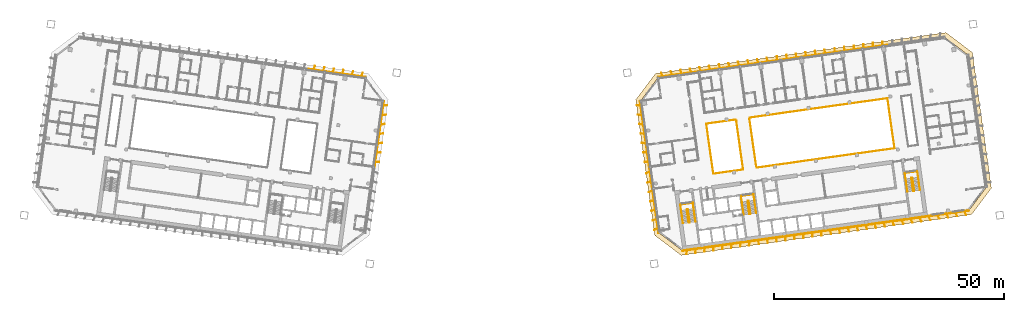
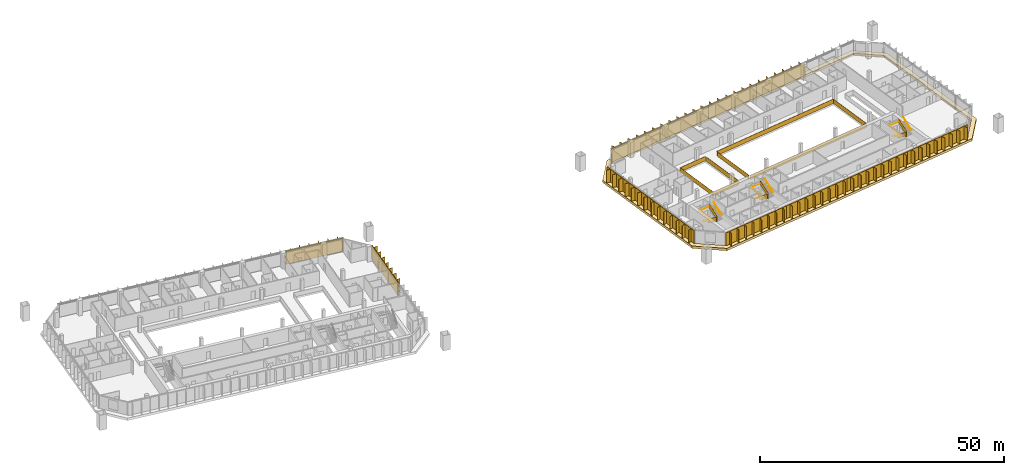
# One storey, part 24 of 25: 12 shading devices, 10 railings, 1 covering.
"""IFC4 building model written with IfcOpenShell, lengths in metres."""

from ifc_helpers import new_model, si_unit, direction, frame, origin, origin_2d, place, context, subcontext, project, spatial, polyline, rectangle, outline, extrude, material, layer, layer_set, type_object, element, save


model = new_model("IFC4")

# Units and contexts
model_context = context("Model", 3, precision=1e-05, world=origin(), true_north=direction((0.0, 1.0)))
body_context = subcontext(model_context, "Body", "Model", "MODEL_VIEW")
ifc_project = project(units=[si_unit("LENGTHUNIT", "METRE"), si_unit("AREAUNIT", "SQUARE_METRE"), si_unit("VOLUMEUNIT", "CUBIC_METRE"), si_unit("PLANEANGLEUNIT", "RADIAN"), si_unit("MASSUNIT", "GRAM", prefix="KILO")], contexts=[model_context])

# Site, building, storey
site_placement = place(None, origin())
site = spatial("IfcSite", under=ifc_project, at=site_placement, CompositionType="ELEMENT")
building_placement = place(site_placement, origin())
building = spatial("IfcBuilding", under=site, at=building_placement, Name="Mirante Cascada Hotel Towers", CompositionType="ELEMENT")
storey_placement = place(building_placement, frame((0.0, 0.0, 102.5)))
storey = spatial("IfcBuildingStorey", under=building, at=storey_placement, Name="L22", CompositionType="ELEMENT", Elevation=102.5)

# Railings
ifc_material_1 = material(Name="Toughened glass with stainless steel handrail", Category="steel")
railing_type_1 = type_object("IfcRailingType", Name="Atrium guard 1100 glass balustrade", PredefinedType="GUARDRAIL", material=ifc_material_1)
railing_1_placement = place(storey_placement, frame((48.76, 8.3112, 0.0)))
element("IfcRailing", 1, at=railing_1_placement, inside=storey, type_object=railing_type_1, Name="GUARD 2-L22-1", PredefinedType="GUARDRAIL", context=body_context, shape_type="SweptSolid", body=[
    extrude(rectangle(XDim=0.048, YDim=0.048, at=origin_2d()), frame((0.0, 0.0, 1.076), z_axis=(-0.9902694, -0.1391638, 0.0), x_axis=(0.1391638, -0.9902694, 0.0)), (0.0, 0.0, 1.0), 6.5125),
    extrude(rectangle(XDim=0.02, YDim=1.052, at=origin_2d()), frame((0.0, 0.0, 0.526), z_axis=(-0.9902694, -0.1391638, 0.0), x_axis=(0.1391638, -0.9902694, 0.0)), (0.0, 0.0, 1.0), 6.5125),
    extrude(rectangle(XDim=0.048, YDim=0.048, at=origin_2d()), frame((-6.4491, -0.9063, 1.076), z_axis=(0.1391721, -0.9902682, 0.0), x_axis=(0.9902682, 0.1391721, 0.0)), (0.0, 0.0, 1.0), 11.0001),
    extrude(rectangle(XDim=0.02, YDim=1.052, at=origin_2d()), frame((-6.4491, -0.9063, 0.526), z_axis=(0.1391721, -0.9902682, 0.0), x_axis=(0.9902682, 0.1391721, 0.0)), (0.0, 0.0, 1.0), 11.0001),
    extrude(rectangle(XDim=0.048, YDim=0.048, at=origin_2d()), frame((-4.9182, -11.7993, 1.076), z_axis=(0.9902673, 0.1391788, 0.0), x_axis=(-0.1391788, 0.9902673, 0.0)), (0.0, 0.0, 1.0), 6.5125),
    extrude(rectangle(XDim=0.02, YDim=1.052, at=origin_2d()), frame((-4.9182, -11.7993, 0.526), z_axis=(0.9902673, 0.1391788, 0.0), x_axis=(-0.1391788, 0.9902673, 0.0)), (0.0, 0.0, 1.0), 6.5125),
])
railing_2_placement = place(storey_placement, frame((53.2617, -2.1642, 0.0)))
element("IfcRailing", 2, at=railing_2_placement, inside=storey, type_object=railing_type_1, Name="GUARD 2-L22-2", PredefinedType="GUARDRAIL", context=body_context, shape_type="SweptSolid", body=[
    extrude(rectangle(XDim=0.048, YDim=0.048, at=origin_2d()), frame((0.0, 0.0, 1.076), z_axis=(0.9902682, 0.1391722, 0.0), x_axis=(-0.1391722, 0.9902682, 0.0)), (0.0, 0.0, 1.0), 30.325),
    extrude(rectangle(XDim=0.02, YDim=1.052, at=origin_2d()), frame((0.0, 0.0, 0.526), z_axis=(0.9902682, 0.1391722, 0.0), x_axis=(-0.1391722, 0.9902682, 0.0)), (0.0, 0.0, 1.0), 30.325),
    extrude(rectangle(XDim=0.048, YDim=0.048, at=origin_2d()), frame((30.0299, 4.2204, 1.076), z_axis=(-0.1391721, 0.9902682, 0.0), x_axis=(-0.9902682, -0.1391721, 0.0)), (0.0, 0.0, 1.0), 11.0001),
    extrude(rectangle(XDim=0.02, YDim=1.052, at=origin_2d()), frame((30.0299, 4.2204, 0.526), z_axis=(-0.1391721, 0.9902682, 0.0), x_axis=(-0.9902682, -0.1391721, 0.0)), (0.0, 0.0, 1.0), 11.0001),
    extrude(rectangle(XDim=0.048, YDim=0.048, at=origin_2d()), frame((28.499, 15.1134, 1.076), z_axis=(-0.9902682, -0.1391722, 0.0), x_axis=(0.1391722, -0.9902682, 0.0)), (0.0, 0.0, 1.0), 30.325),
    extrude(rectangle(XDim=0.02, YDim=1.052, at=origin_2d()), frame((28.499, 15.1134, 0.526), z_axis=(-0.9902682, -0.1391722, 0.0), x_axis=(0.1391722, -0.9902682, 0.0)), (0.0, 0.0, 1.0), 30.325),
])
railing_3_placement = place(storey_placement, frame((50.2983, -2.2822, 0.0)))
element("IfcRailing", 3, at=railing_3_placement, inside=storey, type_object=railing_type_1, Name="GUARD 2-L22-4", PredefinedType="GUARDRAIL", context=body_context, shape_type="SweptSolid", body=[
    extrude(rectangle(XDim=0.048, YDim=0.048, at=origin_2d()), frame((0.0, 0.0, 1.076), z_axis=(-0.1391708, 0.9902684, 0.0), x_axis=(-0.9902684, -0.1391708, 0.0)), (0.0, 0.0, 1.0), 10.4088),
    extrude(rectangle(XDim=0.02, YDim=1.052, at=origin_2d()), frame((0.0, 0.0, 0.526), z_axis=(-0.1391708, 0.9902684, 0.0), x_axis=(-0.9902684, -0.1391708, 0.0)), (0.0, 0.0, 1.0), 10.4088),
])
railing_4_placement = place(storey_placement, frame((51.7234, 8.4292, 0.0)))
element("IfcRailing", 4, at=railing_4_placement, inside=storey, type_object=railing_type_1, Name="GUARD 2-L22-5", PredefinedType="GUARDRAIL", context=body_context, shape_type="SweptSolid", body=[
    extrude(rectangle(XDim=0.048, YDim=0.048, at=origin_2d()), frame((0.0, 0.0, 1.076), z_axis=(0.1391721, -0.9902682, 0.0), x_axis=(0.9902682, 0.1391721, 0.0)), (0.0, 0.0, 1.0), 10.4087),
    extrude(rectangle(XDim=0.02, YDim=1.052, at=origin_2d()), frame((0.0, 0.0, 0.526), z_axis=(0.1391721, -0.9902682, 0.0), x_axis=(0.9902682, 0.1391721, 0.0)), (0.0, 0.0, 1.0), 10.4087),
])

# Covering
ifc_material_2 = material(Name="Precast concrete C40/50 white", Category="concrete")
ifc_layer = layer(ifc_material_2, 0.6)
ifc_layer_set = layer_set([ifc_layer], Name="Precast concrete SUNSHADE band 1000x600")
covering_type = type_object("IfcCoveringType", Name="Precast concrete SUNSHADE band 1000x600", PredefinedType="CLADDING", material=ifc_layer_set)
covering_placement = place(storey_placement, frame((0.0, 0.0, -0.45)))
element("IfcCovering", 5, at=covering_placement, inside=storey, type_object=covering_type, Name="Precast concrete SUNSHADE band T2 L22", PredefinedType="CLADDING", context=body_context, shape_type="SweptSolid", body=[
    extrude(outline(polyline([(26.9341, 12.6299), (31.2626, 18.374), (94.4698, 27.2572), (100.2139, 22.9287), (104.3652, -6.6094), (100.0367, -12.3535), (36.8295, -21.2367), (31.0854, -16.9082), (26.9341, 12.6299)]), holes=[polyline([(103.3173, -6.3384), (99.2813, 22.3794), (94.1988, 26.2093), (31.8119, 17.4414), (27.982, 12.3589), (32.018, -16.3589), (37.1005, -20.1888), (99.4874, -11.4209), (103.3173, -6.3384)])]), origin(), (0.0, 0.0, 1.0), 0.6),
])

# Railings
ifc_material_3 = material(Name="Painted steel", Category="steel")
railing_type_2 = type_object("IfcRailingType", Name="Stair guard 1100 steel balustrade", PredefinedType="GUARDRAIL", material=ifc_material_3)
railing_5_placement = place(storey_placement, frame((38.2663, -11.2395, 0.0)))
element("IfcRailing", 6, at=railing_5_placement, inside=storey, type_object=railing_type_2, Name="L22 ST2-A stair guard 1", PredefinedType="GUARDRAIL", context=body_context, shape_type="SweptSolid", body=[
    extrude(rectangle(XDim=0.048, YDim=0.048, at=origin_2d()), frame((0.0, 0.0, 1.076), z_axis=(-0.9903326, -0.1387133, 0.0), x_axis=(0.1387133, -0.9903326, 0.0)), (0.0, 0.0, 1.0), 0.1499),
    extrude(rectangle(XDim=0.02, YDim=1.052, at=origin_2d()), frame((0.0, 0.0, 0.526), z_axis=(-0.9903326, -0.1387133, 0.0), x_axis=(0.1387133, -0.9903326, 0.0)), (0.0, 0.0, 1.0), 0.1499),
    extrude(rectangle(XDim=0.048, YDim=0.048, at=origin_2d()), frame((-0.1485, -0.0208, 1.076), z_axis=(-0.6020331, -0.7984711, 0.0), x_axis=(0.7984711, -0.6020331, 0.0)), (0.0, 0.9253398, 0.3791387), 0.1866),
    extrude(rectangle(XDim=0.02, YDim=1.052, at=origin_2d()), frame((-0.1485, -0.0208, 0.526), z_axis=(-0.6020331, -0.7984711, 0.0), x_axis=(0.7984711, -0.6020331, 0.0)), (0.0, 0.9253398, 0.3791387), 0.1866),
    extrude(rectangle(XDim=0.048, YDim=0.048, at=origin_2d()), frame((-0.1911, -0.0773, 1.2487), z_axis=(0.139176, -0.9902677, 0.0), x_axis=(0.9902677, 0.139176, 0.0)), (0.0, 0.5250212, 0.8510891), 3.29),
    extrude(rectangle(XDim=0.02, YDim=1.052, at=origin_2d()), frame((-0.1911, -0.0773, 0.6987), z_axis=(0.139176, -0.9902677, 0.0), x_axis=(0.9902677, 0.139176, 0.0)), (0.0, 0.5250212, 0.8510891), 3.29),
    extrude(rectangle(XDim=0.048, YDim=0.048, at=origin_2d()), frame((0.1986, -2.8501, 2.976), z_axis=(0.9944948, -0.1047858, 0.0), x_axis=(0.1047858, 0.9944948, 0.0)), (0.0, 0.0, 1.0), 0.2061),
    extrude(rectangle(XDim=0.02, YDim=1.052, at=origin_2d()), frame((0.1986, -2.8501, 2.426), z_axis=(0.9944948, -0.1047858, 0.0), x_axis=(0.1047858, 0.9944948, 0.0)), (0.0, 0.0, 1.0), 0.2061),
    extrude(rectangle(XDim=0.048, YDim=0.048, at=origin_2d()), frame((0.4036, -2.8717, 2.976), z_axis=(-0.9902408, -0.1393672, 0.0), x_axis=(0.1393672, -0.9902408, 0.0)), (0.0, 0.0, 1.0), 0.15),
    extrude(rectangle(XDim=0.02, YDim=1.052, at=origin_2d()), frame((0.4036, -2.8717, 2.426), z_axis=(-0.9902408, -0.1393672, 0.0), x_axis=(0.1393672, -0.9902408, 0.0)), (0.0, 0.0, 1.0), 0.15),
    extrude(rectangle(XDim=0.048, YDim=0.048, at=origin_2d()), frame((0.2551, -2.8926, 2.976), z_axis=(0.9270311, 0.3749843, 0.0), x_axis=(-0.3749843, 0.9270311, 0.0)), (0.0, 0.6421903, 0.7665452), 0.2689),
    extrude(rectangle(XDim=0.02, YDim=1.052, at=origin_2d()), frame((0.2551, -2.8926, 2.426), z_axis=(0.9270311, 0.3749843, 0.0), x_axis=(-0.3749843, 0.9270311, 0.0)), (0.0, 0.6421903, 0.7665452), 0.2689),
    extrude(rectangle(XDim=0.048, YDim=0.048, at=origin_2d()), frame((0.4462, -2.8153, 3.1487), z_axis=(-0.139176, 0.9902677, 0.0), x_axis=(-0.9902677, -0.139176, 0.0)), (0.0, 0.5250212, 0.8510891), 3.29),
    extrude(rectangle(XDim=0.02, YDim=1.052, at=origin_2d()), frame((0.4462, -2.8153, 2.5987), z_axis=(-0.139176, 0.9902677, 0.0), x_axis=(-0.9902677, -0.139176, 0.0)), (0.0, 0.5250212, 0.8510891), 3.29),
])
railing_6_placement = place(storey_placement, frame((51.4864, -9.3815, 0.0)))
element("IfcRailing", 7, at=railing_6_placement, inside=storey, type_object=railing_type_2, Name="L22 ST2-B stair guard 1", PredefinedType="GUARDRAIL", context=body_context, shape_type="SweptSolid", body=[
    extrude(rectangle(XDim=0.048, YDim=0.048, at=origin_2d()), frame((0.0, 0.0, 1.076), z_axis=(-0.9902408, -0.1393672, 0.0), x_axis=(0.1393672, -0.9902408, 0.0)), (0.0, 0.0, 1.0), 0.15),
    extrude(rectangle(XDim=0.02, YDim=1.052, at=origin_2d()), frame((0.0, 0.0, 0.526), z_axis=(-0.9902408, -0.1393672, 0.0), x_axis=(0.1393672, -0.9902408, 0.0)), (0.0, 0.0, 1.0), 0.15),
    extrude(rectangle(XDim=0.048, YDim=0.048, at=origin_2d()), frame((-0.1485, -0.0209, 1.076), z_axis=(-0.6020331, -0.7984711, 0.0), x_axis=(0.7984711, -0.6020331, 0.0)), (0.0, 0.9253398, 0.3791387), 0.1866),
    extrude(rectangle(XDim=0.02, YDim=1.052, at=origin_2d()), frame((-0.1485, -0.0209, 0.526), z_axis=(-0.6020331, -0.7984711, 0.0), x_axis=(0.7984711, -0.6020331, 0.0)), (0.0, 0.9253398, 0.3791387), 0.1866),
    extrude(rectangle(XDim=0.048, YDim=0.048, at=origin_2d()), frame((-0.1911, -0.0774, 1.2487), z_axis=(0.139181, -0.990267, 0.0), x_axis=(0.990267, 0.139181, 0.0)), (0.0, 0.5250347, 0.8510808), 3.2899),
    extrude(rectangle(XDim=0.02, YDim=1.052, at=origin_2d()), frame((-0.1911, -0.0774, 0.6987), z_axis=(0.139181, -0.990267, 0.0), x_axis=(0.990267, 0.139181, 0.0)), (0.0, 0.5250347, 0.8510808), 3.2899),
    extrude(rectangle(XDim=0.048, YDim=0.048, at=origin_2d()), frame((0.1986, -2.8501, 2.976), z_axis=(0.9944441, -0.1052656, 0.0), x_axis=(0.1052656, 0.9944441, 0.0)), (0.0, 0.0, 1.0), 0.2061),
    extrude(rectangle(XDim=0.02, YDim=1.052, at=origin_2d()), frame((0.1986, -2.8501, 2.426), z_axis=(0.9944441, -0.1052656, 0.0), x_axis=(0.1052656, 0.9944441, 0.0)), (0.0, 0.0, 1.0), 0.2061),
    extrude(rectangle(XDim=0.048, YDim=0.048, at=origin_2d()), frame((0.4036, -2.8718, 2.976), z_axis=(-0.9902408, -0.1393672, 0.0), x_axis=(0.1393672, -0.9902408, 0.0)), (0.0, 0.0, 1.0), 0.15),
    extrude(rectangle(XDim=0.02, YDim=1.052, at=origin_2d()), frame((0.4036, -2.8718, 2.426), z_axis=(-0.9902408, -0.1393672, 0.0), x_axis=(0.1393672, -0.9902408, 0.0)), (0.0, 0.0, 1.0), 0.15),
    extrude(rectangle(XDim=0.048, YDim=0.048, at=origin_2d()), frame((0.2551, -2.8927, 2.976), z_axis=(0.9268624, 0.3754011, 0.0), x_axis=(-0.3754011, 0.9268624, 0.0)), (0.0, 0.6421217, 0.7666028), 0.269),
    extrude(rectangle(XDim=0.02, YDim=1.052, at=origin_2d()), frame((0.2551, -2.8927, 2.426), z_axis=(0.9268624, 0.3754011, 0.0), x_axis=(-0.3754011, 0.9268624, 0.0)), (0.0, 0.6421217, 0.7666028), 0.269),
    extrude(rectangle(XDim=0.048, YDim=0.048, at=origin_2d()), frame((0.4462, -2.8153, 3.1487), z_axis=(-0.139181, 0.990267, 0.0), x_axis=(-0.990267, -0.139181, 0.0)), (0.0, 0.5250347, 0.8510808), 3.2899),
    extrude(rectangle(XDim=0.02, YDim=1.052, at=origin_2d()), frame((0.4462, -2.8153, 2.5987), z_axis=(-0.139181, 0.990267, 0.0), x_axis=(-0.990267, -0.139181, 0.0)), (0.0, 0.5250347, 0.8510808), 3.2899),
])
railing_7_placement = place(storey_placement, frame((87.1361, -4.3713, 0.0)))
element("IfcRailing", 8, at=railing_7_placement, inside=storey, type_object=railing_type_2, Name="L22 ST2-C stair guard 1", PredefinedType="GUARDRAIL", context=body_context, shape_type="SweptSolid", body=[
    extrude(rectangle(XDim=0.048, YDim=0.048, at=origin_2d()), frame((0.0, 0.0, 1.076), z_axis=(-0.9902537, -0.1392753, 0.0), x_axis=(0.1392753, -0.9902537, 0.0)), (0.0, 0.0, 1.0), 0.1501),
    extrude(rectangle(XDim=0.02, YDim=1.052, at=origin_2d()), frame((0.0, 0.0, 0.526), z_axis=(-0.9902537, -0.1392753, 0.0), x_axis=(0.1392753, -0.9902537, 0.0)), (0.0, 0.0, 1.0), 0.1501),
    extrude(rectangle(XDim=0.048, YDim=0.048, at=origin_2d()), frame((-0.1486, -0.0209, 1.076), z_axis=(-0.601811, -0.7986386, 0.0), x_axis=(0.7986386, -0.601811, 0.0)), (0.0, 0.925603, 0.3784959), 0.1866),
    extrude(rectangle(XDim=0.02, YDim=1.052, at=origin_2d()), frame((-0.1486, -0.0209, 0.526), z_axis=(-0.601811, -0.7986386, 0.0), x_axis=(0.7986386, -0.601811, 0.0)), (0.0, 0.925603, 0.3784959), 0.1866),
    extrude(rectangle(XDim=0.048, YDim=0.048, at=origin_2d()), frame((-0.1911, -0.0773, 1.2487), z_axis=(0.139176, -0.9902677, 0.0), x_axis=(0.9902677, 0.139176, 0.0)), (0.0, 0.5250212, 0.8510891), 3.29),
    extrude(rectangle(XDim=0.02, YDim=1.052, at=origin_2d()), frame((-0.1911, -0.0773, 0.6987), z_axis=(0.139176, -0.9902677, 0.0), x_axis=(0.9902677, 0.139176, 0.0)), (0.0, 0.5250212, 0.8510891), 3.29),
    extrude(rectangle(XDim=0.048, YDim=0.048, at=origin_2d()), frame((0.1986, -2.8501, 2.976), z_axis=(0.9944441, -0.1052656, 0.0), x_axis=(0.1052656, 0.9944441, 0.0)), (0.0, 0.0, 1.0), 0.2061),
    extrude(rectangle(XDim=0.02, YDim=1.052, at=origin_2d()), frame((0.1986, -2.8501, 2.426), z_axis=(0.9944441, -0.1052656, 0.0), x_axis=(0.1052656, 0.9944441, 0.0)), (0.0, 0.0, 1.0), 0.2061),
    extrude(rectangle(XDim=0.048, YDim=0.048, at=origin_2d()), frame((0.4036, -2.8718, 2.976), z_axis=(-0.9903454, -0.1386217, 0.0), x_axis=(0.1386217, -0.9903454, 0.0)), (0.0, 0.0, 1.0), 0.15),
    extrude(rectangle(XDim=0.02, YDim=1.052, at=origin_2d()), frame((0.4036, -2.8718, 2.426), z_axis=(-0.9903454, -0.1386217, 0.0), x_axis=(0.1386217, -0.9903454, 0.0)), (0.0, 0.0, 1.0), 0.15),
    extrude(rectangle(XDim=0.048, YDim=0.048, at=origin_2d()), frame((0.255, -2.8926, 2.976), z_axis=(0.9270311, 0.3749843, 0.0), x_axis=(-0.3749843, 0.9270311, 0.0)), (0.0, 0.6421903, 0.7665452), 0.2689),
    extrude(rectangle(XDim=0.02, YDim=1.052, at=origin_2d()), frame((0.255, -2.8926, 2.426), z_axis=(0.9270311, 0.3749843, 0.0), x_axis=(-0.3749843, 0.9270311, 0.0)), (0.0, 0.6421903, 0.7665452), 0.2689),
    extrude(rectangle(XDim=0.048, YDim=0.048, at=origin_2d()), frame((0.4461, -2.8153, 3.1487), z_axis=(-0.139176, 0.9902677, 0.0), x_axis=(-0.9902677, -0.139176, 0.0)), (0.0, 0.5250212, 0.8510891), 3.29),
    extrude(rectangle(XDim=0.02, YDim=1.052, at=origin_2d()), frame((0.4461, -2.8153, 2.5987), z_axis=(-0.139176, 0.9902677, 0.0), x_axis=(-0.9902677, -0.139176, 0.0)), (0.0, 0.5250212, 0.8510891), 3.29),
])
ifc_material_4 = material(Name="Painted steel", Category="steel")
railing_type_3 = type_object("IfcRailingType", Name="Stair handrail 900 steel tube", PredefinedType="HANDRAIL", material=ifc_material_4)
railing_8_placement = place(storey_placement, frame((36.8374, -11.4908, 0.1727)))
element("IfcRailing", 9, at=railing_8_placement, inside=storey, type_object=railing_type_3, Name="L22 ST2-A stair handrail 1", PredefinedType="HANDRAIL", context=body_context, shape_type="SweptSolid", body=[
    extrude(rectangle(XDim=0.048, YDim=0.048, at=origin_2d()), frame((0.0, 0.0, 0.876), z_axis=(0.139181, -0.990267, 0.0), x_axis=(0.990267, 0.139181, 0.0)), (0.0, 0.5250347, 0.8510808), 3.2899),
    extrude(rectangle(XDim=0.048, YDim=0.048, at=origin_2d()), frame((0.3897, -2.7727, 2.6033), z_axis=(-0.1391707, 0.9902684, 0.0), x_axis=(-0.9902684, -0.1391707, 0.0)), (0.0, 0.0420846, 0.999114), 4.1036),
    extrude(rectangle(XDim=0.048, YDim=0.048, at=origin_2d()), frame((-0.1809, 1.2874, 2.776), z_axis=(0.9902691, 0.1391657, 0.0), x_axis=(-0.1391657, 0.9902691, 0.0)), (0.0, 0.0, 1.0), 2.75),
    extrude(rectangle(XDim=0.048, YDim=0.048, at=origin_2d()), frame((2.5423, 1.6701, 2.776), z_axis=(0.1391707, -0.9902684, 0.0), x_axis=(0.9902684, 0.1391707, 0.0)), (0.0, 0.0, 1.0), 4.1),
    extrude(rectangle(XDim=0.048, YDim=0.048, at=origin_2d()), frame((3.1129, -2.39, 2.776), z_axis=(-0.139181, 0.990267, 0.0), x_axis=(-0.990267, -0.139181, 0.0)), (0.0, 0.5250347, 0.8510808), 3.2899),
])
railing_9_placement = place(storey_placement, frame((50.0575, -9.6328, 0.1727)))
element("IfcRailing", 10, at=railing_9_placement, inside=storey, type_object=railing_type_3, Name="L22 ST2-B stair handrail 1", PredefinedType="HANDRAIL", context=body_context, shape_type="SweptSolid", body=[
    extrude(rectangle(XDim=0.048, YDim=0.048, at=origin_2d()), frame((0.0, 0.0, 0.876), z_axis=(0.139176, -0.9902677, 0.0), x_axis=(0.9902677, 0.139176, 0.0)), (0.0, 0.5250212, 0.8510891), 3.29),
    extrude(rectangle(XDim=0.048, YDim=0.048, at=origin_2d()), frame((0.3897, -2.7728, 2.6033), z_axis=(-0.1391707, 0.9902684, 0.0), x_axis=(-0.9902684, -0.1391707, 0.0)), (0.0, 0.0420846, 0.999114), 4.1036),
    extrude(rectangle(XDim=0.048, YDim=0.048, at=origin_2d()), frame((-0.1809, 1.2873, 2.776), z_axis=(0.9902641, 0.1392013, 0.0), x_axis=(-0.1392013, 0.9902641, 0.0)), (0.0, 0.0, 1.0), 2.75),
    extrude(rectangle(XDim=0.048, YDim=0.048, at=origin_2d()), frame((2.5423, 1.6701, 2.776), z_axis=(0.1391707, -0.9902684, 0.0), x_axis=(0.9902684, 0.1391707, 0.0)), (0.0, 0.0, 1.0), 4.1),
    extrude(rectangle(XDim=0.048, YDim=0.048, at=origin_2d()), frame((3.1129, -2.39, 2.776), z_axis=(-0.139181, 0.990267, 0.0), x_axis=(-0.990267, -0.139181, 0.0)), (0.0, 0.5250347, 0.8510808), 3.2899),
])
railing_10_placement = place(storey_placement, frame((85.7071, -4.6226, 0.1727)))
element("IfcRailing", 11, at=railing_10_placement, inside=storey, type_object=railing_type_3, Name="L22 ST2-C stair handrail 1", PredefinedType="HANDRAIL", context=body_context, shape_type="SweptSolid", body=[
    extrude(rectangle(XDim=0.048, YDim=0.048, at=origin_2d()), frame((0.0, 0.0, 0.876), z_axis=(0.139181, -0.990267, 0.0), x_axis=(0.990267, 0.139181, 0.0)), (0.0, 0.5250347, 0.8510808), 3.2899),
    extrude(rectangle(XDim=0.048, YDim=0.048, at=origin_2d()), frame((0.3897, -2.7727, 2.6033), z_axis=(-0.1391707, 0.9902684, 0.0), x_axis=(-0.9902684, -0.1391707, 0.0)), (0.0, 0.0420846, 0.999114), 4.1036),
    extrude(rectangle(XDim=0.048, YDim=0.048, at=origin_2d()), frame((-0.1809, 1.2874, 2.776), z_axis=(0.9902691, 0.1391657, 0.0), x_axis=(-0.1391657, 0.9902691, 0.0)), (0.0, 0.0, 1.0), 2.75),
    extrude(rectangle(XDim=0.048, YDim=0.048, at=origin_2d()), frame((2.5423, 1.6701, 2.776), z_axis=(0.1391947, -0.990265, 0.0), x_axis=(0.990265, 0.1391947, 0.0)), (0.0, 0.0, 1.0), 4.1),
    extrude(rectangle(XDim=0.048, YDim=0.048, at=origin_2d()), frame((3.113, -2.39, 2.776), z_axis=(-0.139181, 0.990267, 0.0), x_axis=(-0.990267, -0.139181, 0.0)), (0.0, 0.5250347, 0.8510808), 3.2899),
])

# Shading devices
ifc_material_5 = material(Name="White precast concrete C50/60 fin", Category="concrete")
shading_device_type = type_object("IfcShadingDeviceType", Name="Vertical fin set 4500x900", PredefinedType="USERDEFINED", material=ifc_material_5)
shading_device_1_placement = place(storey_placement, origin())
element("IfcShadingDevice", 12, at=shading_device_1_placement, inside=storey, type_object=shading_device_type, Name="FIN T1 L22 front 5", ObjectType="FIN", PredefinedType="USERDEFINED", context=body_context, shape_type="SweptSolid", body=[
    extrude(outline(polyline([(-32.4493, 18.4994), (-32.7765, 17.7284), (-31.791, 17.5899), (-31.8119, 17.4414), (-44.2893, 19.195), (-44.2684, 19.3435), (-43.2564, 19.2013), (-42.9208, 19.9919), (-42.8471, 19.9607), (-43.1744, 19.1897), (-41.1768, 18.909), (-40.8412, 19.6997), (-40.7676, 19.6684), (-41.0948, 18.8975), (-39.0973, 18.6167), (-38.7616, 19.4074), (-38.688, 19.3761), (-39.0152, 18.6052), (-37.0177, 18.3245), (-36.6821, 19.1151), (-36.6084, 19.0839), (-36.9357, 18.3129), (-34.9381, 18.0322), (-34.6025, 18.8229), (-34.5289, 18.7916), (-34.8561, 18.0207), (-32.8586, 17.7399), (-32.5229, 18.5306), (-32.4493, 18.4994)])), origin(), (0.0, 0.0, 1.0), 3.35),
])
shading_device_2_placement = place(storey_placement, origin())
element("IfcShadingDevice", 13, at=shading_device_2_placement, inside=storey, type_object=shading_device_type, Name="FIN T1 L22 inner 1", ObjectType="FIN", PredefinedType="USERDEFINED", context=body_context, shape_type="SweptSolid", body=[
    extrude(outline(polyline([(-29.7112, -1.023), (-29.8515, -2.0209), (-30.0, -2.0), (-27.982, 12.3589), (-27.8334, 12.338), (-27.97, 11.3667), (-27.1387, 11.4687), (-27.1289, 11.3893), (-27.9815, 11.2846), (-28.2583, 9.3154), (-27.427, 9.4174), (-27.4172, 9.338), (-28.2698, 9.2334), (-28.5465, 7.2641), (-27.7153, 7.3662), (-27.7055, 7.2868), (-28.5581, 7.1821), (-28.8348, 5.2128), (-28.0036, 5.3149), (-27.9938, 5.2355), (-28.8464, 5.1308), (-29.1231, 3.1616), (-28.2918, 3.2636), (-28.2821, 3.1842), (-29.1346, 3.0796), (-29.4114, 1.1103), (-28.5801, 1.2124), (-28.5704, 1.133), (-29.4229, 1.0283), (-29.6997, -0.941), (-28.8684, -0.8389), (-28.8587, -0.9183), (-29.7112, -1.023)])), origin(), (0.0, 0.0, 1.0), 3.35),
])
shading_device_3_placement = place(storey_placement, origin())
element("IfcShadingDevice", 14, at=shading_device_3_placement, inside=storey, type_object=shading_device_type, Name="FIN T2 L22 front 2", ObjectType="FIN", PredefinedType="USERDEFINED", context=body_context, shape_type="SweptSolid", body=[
    extrude(outline(polyline([(70.3021, 23.8476), (70.3094, 23.0033), (72.3091, 23.2844), (72.3016, 24.1392), (72.3816, 24.1399), (72.389, 23.2956), (74.3886, 23.5766), (74.3812, 24.4314), (74.4612, 24.4321), (74.4686, 23.5878), (76.4682, 23.8689), (76.4608, 24.7237), (76.5407, 24.7244), (76.5481, 23.8801), (78.5478, 24.1611), (78.5403, 25.0159), (78.6203, 25.0166), (78.6277, 24.1724), (80.6273, 24.4534), (80.6199, 25.3082), (80.6999, 25.3089), (80.7072, 24.4646), (81.7006, 24.6042), (81.7214, 24.4557), (69.2441, 22.7021), (69.2232, 22.8507), (70.2295, 22.9921), (70.2221, 23.8469), (70.3021, 23.8476)])), origin(), (0.0, 0.0, 1.0), 3.35),
])
shading_device_4_placement = place(storey_placement, origin())
element("IfcShadingDevice", 15, at=shading_device_4_placement, inside=storey, type_object=shading_device_type, Name="FIN T2 L22 front 3", ObjectType="FIN", PredefinedType="USERDEFINED", context=body_context, shape_type="SweptSolid", body=[
    extrude(outline(polyline([(57.7069, 22.0905), (57.8252, 21.2488), (59.8255, 21.5299), (59.7072, 22.3716), (59.7865, 22.3828), (59.9048, 21.541), (61.9051, 21.8222), (61.7868, 22.6639), (61.866, 22.675), (61.9843, 21.8333), (63.9847, 22.1144), (63.8664, 22.9562), (63.9456, 22.9673), (64.0639, 22.1256), (66.0642, 22.4067), (65.9459, 23.2484), (66.0251, 23.2596), (66.1434, 22.4178), (68.1438, 22.699), (68.0255, 23.5407), (68.1047, 23.5518), (68.223, 22.7101), (69.2232, 22.8507), (69.2441, 22.7021), (56.7667, 20.9485), (56.7458, 21.0971), (57.746, 21.2376), (57.6277, 22.0794), (57.7069, 22.0905)])), origin(), (0.0, 0.0, 1.0), 3.35),
])
shading_device_5_placement = place(storey_placement, origin())
element("IfcShadingDevice", 16, at=shading_device_5_placement, inside=storey, type_object=shading_device_type, Name="FIN T2 L22 front 4", ObjectType="FIN", PredefinedType="USERDEFINED", context=body_context, shape_type="SweptSolid", body=[
    extrude(outline(polyline([(45.1132, 20.3181), (45.3416, 19.4943), (47.3413, 19.7754), (47.1157, 20.589), (47.1928, 20.6103), (47.4212, 19.7866), (49.4209, 20.0676), (49.1952, 20.8812), (49.2723, 20.9026), (49.5008, 20.0789), (51.5004, 20.3599), (51.2748, 21.1735), (51.3519, 21.1949), (51.5803, 20.3711), (53.58, 20.6521), (53.3544, 21.4657), (53.4314, 21.4871), (53.6599, 20.6634), (55.6595, 20.9444), (55.4339, 21.758), (55.511, 21.7794), (55.7394, 20.9556), (56.7458, 21.0971), (56.7667, 20.9485), (44.2893, 19.195), (44.2684, 19.3435), (45.2617, 19.4831), (45.0361, 20.2967), (45.1132, 20.3181)])), origin(), (0.0, 0.0, 1.0), 3.35),
])
shading_device_6_placement = place(storey_placement, origin())
element("IfcShadingDevice", 17, at=shading_device_6_placement, inside=storey, type_object=shading_device_type, Name="FIN T2 L22 front 5", ObjectType="FIN", PredefinedType="USERDEFINED", context=body_context, shape_type="SweptSolid", body=[
    extrude(outline(polyline([(32.5229, 18.5306), (32.8586, 17.7399), (34.8561, 18.0207), (34.5289, 18.7916), (34.6025, 18.8229), (34.9381, 18.0322), (36.9357, 18.3129), (36.6084, 19.0839), (36.6821, 19.1151), (37.0177, 18.3245), (39.0152, 18.6052), (38.688, 19.3761), (38.7616, 19.4074), (39.0973, 18.6167), (41.0948, 18.8975), (40.7676, 19.6684), (40.8412, 19.6997), (41.1768, 18.909), (43.1744, 19.1897), (42.8471, 19.9607), (42.9208, 19.9919), (43.2564, 19.2013), (44.2684, 19.3435), (44.2893, 19.195), (31.8119, 17.4414), (31.791, 17.5899), (32.7765, 17.7284), (32.4493, 18.4994), (32.5229, 18.5306)])), origin(), (0.0, 0.0, 1.0), 3.35),
])
shading_device_7_placement = place(storey_placement, origin())
element("IfcShadingDevice", 18, at=shading_device_7_placement, inside=storey, type_object=shading_device_type, Name="FIN T2 L22 inner 1", ObjectType="FIN", PredefinedType="USERDEFINED", context=body_context, shape_type="SweptSolid", body=[
    extrude(outline(polyline([(28.8684, -0.8389), (29.6997, -0.941), (29.4229, 1.0283), (28.5704, 1.133), (28.5801, 1.2124), (29.4114, 1.1103), (29.1346, 3.0796), (28.2821, 3.1842), (28.2918, 3.2636), (29.1231, 3.1616), (28.8464, 5.1308), (27.9938, 5.2355), (28.0036, 5.3149), (28.8348, 5.2128), (28.5581, 7.1821), (27.7055, 7.2868), (27.7153, 7.3662), (28.5465, 7.2641), (28.2698, 9.2334), (27.4172, 9.338), (27.427, 9.4174), (28.2583, 9.3154), (27.9815, 11.2846), (27.1289, 11.3893), (27.1387, 11.4687), (27.97, 11.3667), (27.8334, 12.338), (27.982, 12.3589), (30.0, -2.0), (29.8515, -2.0209), (29.7112, -1.023), (28.8587, -0.9183), (28.8684, -0.8389)])), origin(), (0.0, 0.0, 1.0), 3.35),
])
shading_device_8_placement = place(storey_placement, origin())
element("IfcShadingDevice", 19, at=shading_device_8_placement, inside=storey, type_object=shading_device_type, Name="FIN T2 L22 inner 2", ObjectType="FIN", PredefinedType="USERDEFINED", context=body_context, shape_type="SweptSolid", body=[
    extrude(outline(polyline([(30.9308, -15.662), (31.7214, -15.3264), (31.4447, -13.3571), (30.6737, -13.6844), (30.6425, -13.6107), (31.4331, -13.2751), (31.1564, -11.3059), (30.3854, -11.6331), (30.3542, -11.5595), (31.1449, -11.2238), (30.8681, -9.2546), (30.0972, -9.5818), (30.0659, -9.5082), (30.8566, -9.1726), (30.5798, -7.2033), (29.8089, -7.5306), (29.7776, -7.4569), (30.5683, -7.1213), (30.2915, -5.1521), (29.5206, -5.4793), (29.4893, -5.4057), (30.28, -5.07), (30.0032, -3.1008), (29.2323, -3.428), (29.201, -3.3544), (29.9917, -3.0188), (29.8515, -2.0209), (30.0, -2.0), (32.018, -16.3589), (31.8695, -16.3798), (31.733, -15.4084), (30.962, -15.7356), (30.9308, -15.662)])), origin(), (0.0, 0.0, 1.0), 3.35),
])
shading_device_9_placement = place(storey_placement, origin())
element("IfcShadingDevice", 20, at=shading_device_9_placement, inside=storey, type_object=shading_device_type, Name="FIN T2 L22 rear 1", ObjectType="FIN", PredefinedType="USERDEFINED", context=body_context, shape_type="SweptSolid", body=[
    extrude(outline(polyline([(37.9398, -21.0393), (38.0419, -20.208), (37.1214, -20.3374), (37.1005, -20.1888), (52.6972, -17.9968), (52.7181, -18.1454), (51.771, -18.2785), (51.6664, -19.131), (51.587, -19.1213), (51.689, -18.29), (49.8214, -18.5525), (49.7168, -19.405), (49.6374, -19.3953), (49.7394, -18.564), (47.8719, -18.8265), (47.7672, -19.679), (47.6878, -19.6693), (47.7898, -18.838), (45.9223, -19.1005), (45.8176, -19.953), (45.7382, -19.9433), (45.8403, -19.112), (43.9727, -19.3745), (43.868, -20.227), (43.7886, -20.2173), (43.8907, -19.386), (42.0231, -19.6485), (41.9184, -20.501), (41.839, -20.4913), (41.9411, -19.66), (40.0735, -19.9225), (39.9688, -20.775), (39.8894, -20.7653), (39.9915, -19.934), (38.1239, -20.1965), (38.0192, -21.049), (37.9398, -21.0393)])), origin(), (0.0, 0.0, 1.0), 3.35),
])
shading_device_10_placement = place(storey_placement, origin())
element("IfcShadingDevice", 21, at=shading_device_10_placement, inside=storey, type_object=shading_device_type, Name="FIN T2 L22 rear 2", ObjectType="FIN", PredefinedType="USERDEFINED", context=body_context, shape_type="SweptSolid", body=[
    extrude(outline(polyline([(53.6931, -18.8597), (53.6488, -18.0146), (52.7181, -18.1454), (52.6972, -17.9968), (68.2939, -15.8049), (68.3148, -15.9534), (67.3755, -16.0854), (67.4201, -16.9376), (67.3402, -16.9417), (67.2959, -16.0966), (65.4259, -16.3594), (65.4705, -17.2116), (65.3906, -17.2157), (65.3463, -16.3706), (63.4763, -16.6334), (63.5209, -17.4856), (63.441, -17.4897), (63.3967, -16.6446), (61.5267, -16.9074), (61.5713, -17.7596), (61.4914, -17.7637), (61.4472, -16.9186), (59.5771, -17.1814), (59.6217, -18.0335), (59.5419, -18.0377), (59.4976, -17.1926), (57.6275, -17.4554), (57.6722, -18.3075), (57.5923, -18.3117), (57.548, -17.4666), (55.6779, -17.7294), (55.7226, -18.5815), (55.6427, -18.5857), (55.5984, -17.7406), (53.7283, -18.0034), (53.773, -18.8555), (53.6931, -18.8597)])), origin(), (0.0, 0.0, 1.0), 3.35),
])
shading_device_11_placement = place(storey_placement, origin())
element("IfcShadingDevice", 22, at=shading_device_11_placement, inside=storey, type_object=shading_device_type, Name="FIN T2 L22 rear 3", ObjectType="FIN", PredefinedType="USERDEFINED", context=body_context, shape_type="SweptSolid", body=[
    extrude(outline(polyline([(69.4461, -16.6528), (69.2542, -15.8214), (68.3148, -15.9534), (68.2939, -15.8049), (83.8907, -13.6129), (83.9115, -13.7614), (82.9808, -13.8922), (83.1712, -14.7168), (83.0933, -14.7348), (82.9013, -13.9034), (81.0312, -14.1662), (81.2216, -14.9908), (81.1437, -15.0088), (80.9517, -14.1774), (79.0817, -14.4402), (79.272, -15.2648), (79.1941, -15.2828), (79.0021, -14.4514), (77.1321, -14.7142), (77.3224, -15.5388), (77.2445, -15.5568), (77.0525, -14.7254), (75.1825, -14.9882), (75.3729, -15.8128), (75.2949, -15.8308), (75.103, -14.9994), (73.2329, -15.2622), (73.4233, -16.0868), (73.3453, -16.1048), (73.1534, -15.2734), (71.2833, -15.5362), (71.4737, -16.3608), (71.3957, -16.3788), (71.2038, -15.5474), (69.3337, -15.8102), (69.5241, -16.6348), (69.4461, -16.6528)])), origin(), (0.0, 0.0, 1.0), 3.35),
])
shading_device_12_placement = place(storey_placement, origin())
element("IfcShadingDevice", 23, at=shading_device_12_placement, inside=storey, type_object=shading_device_type, Name="FIN T2 L22 rear 4", ObjectType="FIN", PredefinedType="USERDEFINED", context=body_context, shape_type="SweptSolid", body=[
    extrude(outline(polyline([(85.1942, -14.419), (84.8586, -13.6283), (83.9115, -13.7614), (83.8907, -13.6129), (99.4874, -11.4209), (99.5083, -11.5694), (98.5877, -11.6988), (98.915, -12.4698), (98.8413, -12.501), (98.5057, -11.7103), (96.6381, -11.9728), (96.9654, -12.7438), (96.8918, -12.775), (96.5561, -11.9843), (94.6886, -12.2468), (95.0158, -13.0178), (94.9422, -13.049), (94.6065, -12.2583), (92.739, -12.5208), (93.0662, -13.2918), (92.9926, -13.323), (92.657, -12.5323), (90.7894, -12.7948), (91.1166, -13.5657), (91.043, -13.597), (90.7074, -12.8063), (88.8398, -13.0688), (89.167, -13.8397), (89.0934, -13.871), (88.7578, -13.0803), (86.8902, -13.3428), (87.2174, -14.1137), (87.1438, -14.145), (86.8082, -13.3543), (84.9406, -13.6168), (85.2679, -14.3877), (85.1942, -14.419)])), origin(), (0.0, 0.0, 1.0), 3.35),
])

save(model, "model.ifc")
